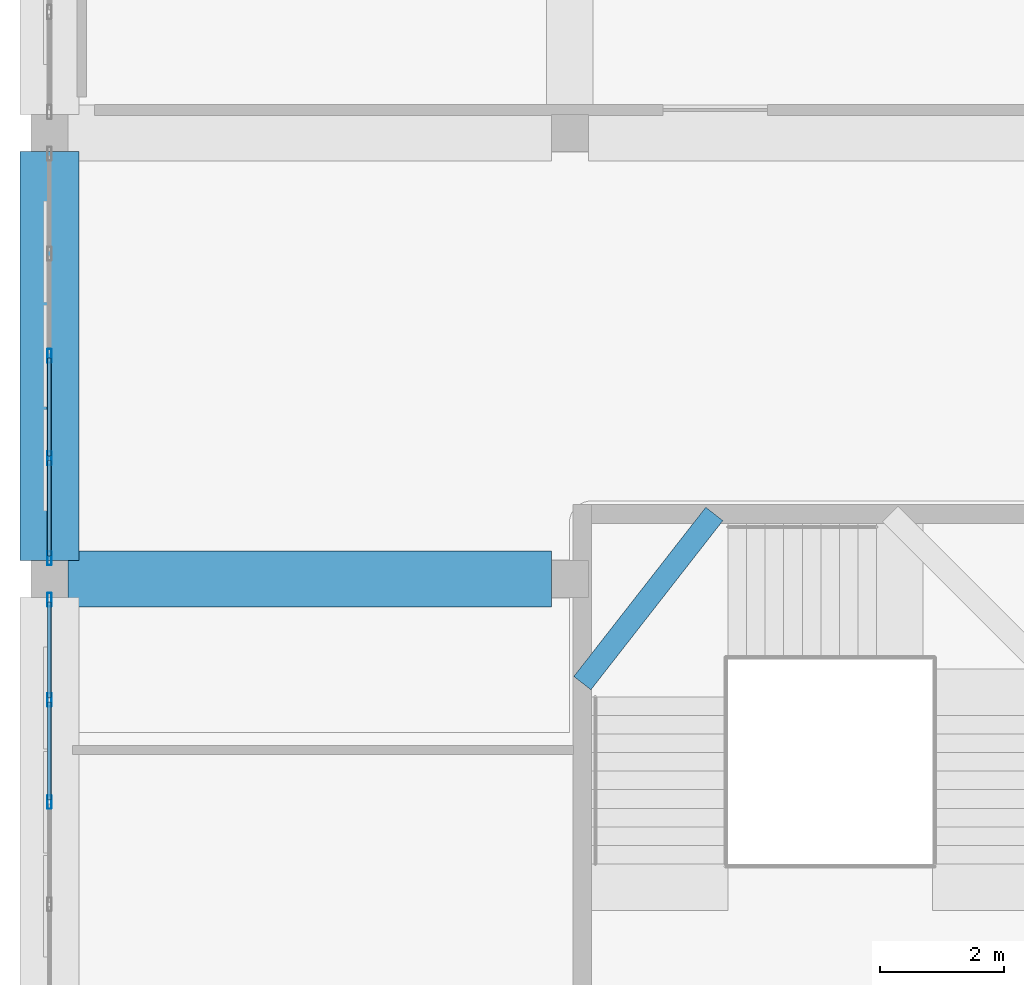
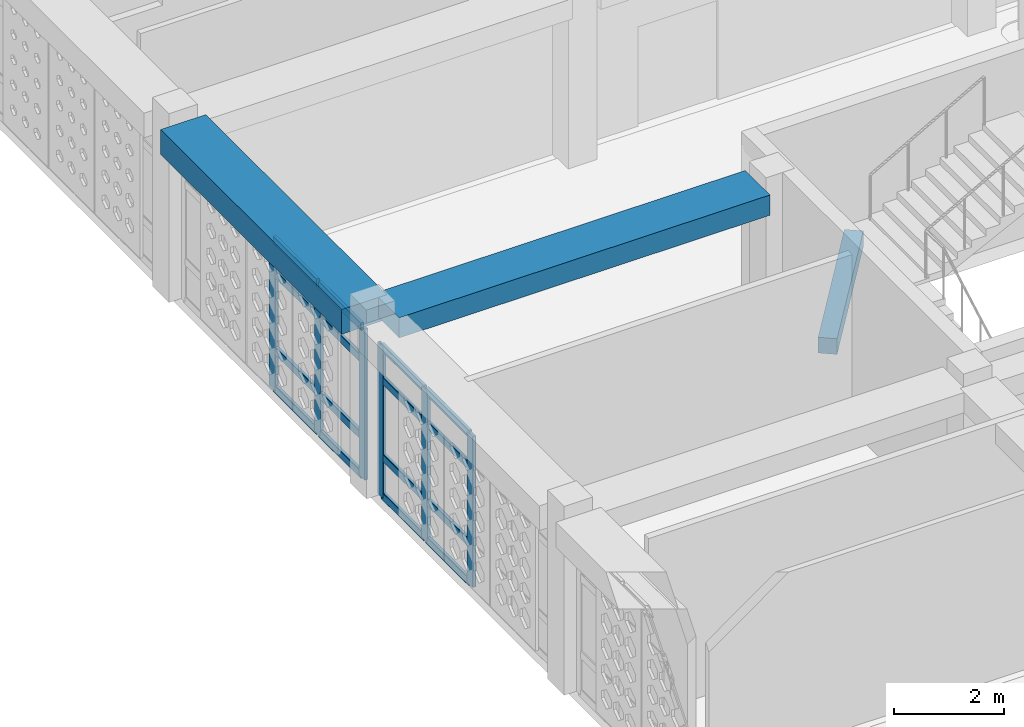
# One storey, part 8 of 48: 22 members, 3 beams, 2 elements without a shape of their own.
"""IFC4 building model written with IfcOpenShell, lengths in metres."""

from ifc_helpers import new_model, si_unit, derived_unit, direction, frame, origin, origin_2d, place, context, subcontext, project, spatial, rectangle, hollow_rectangle, extrude, material, material_profile, profile_set, type_object, element, aggregate, save


model = new_model("IFC4")

# Units and contexts
model_context = context("Model", 3, precision=1e-05, world=origin(), true_north=direction((0.0, 1.0)))
body_context = subcontext(model_context, "Body", "Model", "MODEL_VIEW")
ifc_project = project(units=[si_unit("LENGTHUNIT", "METRE"), si_unit("AREAUNIT", "SQUARE_METRE"), si_unit("VOLUMEUNIT", "CUBIC_METRE"), si_unit("PLANEANGLEUNIT", "RADIAN"), si_unit("MASSUNIT", "GRAM", prefix="KILO"), derived_unit("THERMALTRANSMITTANCEUNIT", [(si_unit("POWERUNIT", "WATT"), 1), (si_unit("LENGTHUNIT", "METRE"), -2), (si_unit("THERMODYNAMICTEMPERATUREUNIT", "KELVIN"), -1)])], contexts=[model_context])

# Site, building, storey
site_placement = place(None, origin())
site = spatial("IfcSite", under=ifc_project, at=site_placement, CompositionType="ELEMENT")
building_placement = place(site_placement, origin())
building = spatial("IfcBuilding", under=site, at=building_placement, Name="Veybourne Emporium", CompositionType="ELEMENT")
storey_placement = place(building_placement, frame((0.0, 0.0, 27.89990234375)))
storey = spatial("IfcBuildingStorey", under=building, at=storey_placement, Name="L06", CompositionType="ELEMENT", Elevation=27.89990234375)

# Curtain wall, members
ifc_material_1 = material(Name="Patinated Architectural Bronze", Category="bronze")
curtain_wall_type_1 = type_object("IfcCurtainWallType", Name="CWSystem_CWS-13", PredefinedType="NOTDEFINED", material=ifc_material_1)
curtain_wall_1_placement = place(storey_placement, origin())
curtain_wall_1 = element("IfcCurtainWall", 1, at=curtain_wall_1_placement, inside=storey, type_object=curtain_wall_type_1, Name="L06 bronze glazed curtain wall CWS-13 (005)", PredefinedType="NOTDEFINED")
ifc_material_profile_1 = material_profile(ifc_material_1, hollow_rectangle(XDim=0.072021484375, YDim=0.22509765625, WallThickness=0.0048828125, InnerFilletRadius=0.007568359375, OuterFilletRadius=0.012451171875, at=origin_2d()), Name="CWM 72x225x5")
ifc_profile_set_1 = profile_set([ifc_material_profile_1], Name="Patinated Architectural Bronze")
member_type_1 = type_object("IfcMemberType", Name="CWMullion_CW-M1", PredefinedType="MULLION", material=ifc_profile_set_1)
member_1_placement = place(storey_placement, frame((0.0, 36.3359375, 0.0), z_axis=(0.0, 0.0, 1.0), x_axis=(-1.0, 0.0, 0.0)))
member_1 = element("IfcMember", 2, at=member_1_placement, type_object=member_type_1, Name="CWS-13 mullion 1", PredefinedType="MULLION", context=body_context, shape_type="SweptSolid", body=[
    extrude(hollow_rectangle(XDim=0.072021484375, YDim=0.22509765625, WallThickness=0.0048828125, InnerFilletRadius=0.007568359375, OuterFilletRadius=0.012451171875, at=origin_2d()), origin(), (0.0, 0.0, 1.0), 3.360107421875),
])
member_2_placement = place(storey_placement, frame((0.0, 37.949951171875, 0.0), z_axis=(0.0, 0.0, 1.0), x_axis=(-1.0, 0.0, 0.0)))
member_2 = element("IfcMember", 3, at=member_2_placement, type_object=member_type_1, Name="CWS-13 mullion 2", PredefinedType="MULLION", context=body_context, shape_type="SweptSolid", body=[
    extrude(hollow_rectangle(XDim=0.072021484375, YDim=0.22509765625, WallThickness=0.0048828125, InnerFilletRadius=0.007568359375, OuterFilletRadius=0.012451171875, at=origin_2d()), origin(), (0.0, 0.0, 1.0), 3.360107421875),
])
member_3_placement = place(storey_placement, frame((0.0, 39.60009765625, 0.0), z_axis=(0.0, 0.0, 1.0), x_axis=(-1.0, 0.0, 0.0)))
member_3 = element("IfcMember", 4, at=member_3_placement, type_object=member_type_1, Name="CWS-13 mullion 3", PredefinedType="MULLION", context=body_context, shape_type="SweptSolid", body=[
    extrude(hollow_rectangle(XDim=0.072021484375, YDim=0.22509765625, WallThickness=0.0048828125, InnerFilletRadius=0.007568359375, OuterFilletRadius=0.012451171875, at=origin_2d()), origin(), (0.0, 0.0, 1.0), 3.360107421875),
])

curtain_wall_type_2 = type_object("IfcCurtainWallType", Name="CWSystem_CWS-12", PredefinedType="NOTDEFINED", material=ifc_material_1)
curtain_wall_2_placement = place(storey_placement, origin())
curtain_wall_2 = element("IfcCurtainWall", 5, at=curtain_wall_2_placement, inside=storey, type_object=curtain_wall_type_2, Name="L06 bronze glazed curtain wall CWS-12 (004)", PredefinedType="NOTDEFINED")
ifc_material_profile_2 = material_profile(ifc_material_1, hollow_rectangle(XDim=0.070068359375, YDim=0.219970703125, WallThickness=0.0048828125, InnerFilletRadius=0.007568359375, OuterFilletRadius=0.012451171875, at=origin_2d()), Name="CWM 70x220x5")
ifc_profile_set_2 = profile_set([ifc_material_profile_2], Name="Patinated Architectural Bronze")
member_type_2 = type_object("IfcMemberType", Name="CWMullion_CW-M4", PredefinedType="MULLION", material=ifc_profile_set_2)
member_4_placement = place(storey_placement, frame((0.0, 32.39990234375, 0.0), z_axis=(0.0, 0.0, 1.0), x_axis=(-1.0, 0.0, 0.0)))
member_4 = element("IfcMember", 6, at=member_4_placement, type_object=member_type_2, Name="CWS-12 mullion 3", PredefinedType="MULLION", context=body_context, shape_type="SweptSolid", body=[
    extrude(hollow_rectangle(XDim=0.070068359375, YDim=0.219970703125, WallThickness=0.0048828125, InnerFilletRadius=0.007568359375, OuterFilletRadius=0.012451171875, at=origin_2d()), origin(), (0.0, 0.0, 1.0), 3.360107421875),
])
member_5_placement = place(storey_placement, frame((0.0, 34.050048828125, 0.0), z_axis=(0.0, 0.0, 1.0), x_axis=(-1.0, 0.0, 0.0)))
member_5 = element("IfcMember", 7, at=member_5_placement, type_object=member_type_2, Name="CWS-12 mullion 4", PredefinedType="MULLION", context=body_context, shape_type="SweptSolid", body=[
    extrude(hollow_rectangle(XDim=0.070068359375, YDim=0.219970703125, WallThickness=0.0048828125, InnerFilletRadius=0.007568359375, OuterFilletRadius=0.012451171875, at=origin_2d()), origin(), (0.0, 0.0, 1.0), 3.360107421875),
])
member_6_placement = place(storey_placement, frame((0.0, 35.6650390625, 0.0), z_axis=(0.0, 0.0, 1.0), x_axis=(-1.0, 0.0, 0.0)))
member_6 = element("IfcMember", 8, at=member_6_placement, type_object=member_type_2, Name="CWS-12 mullion 5", PredefinedType="MULLION", context=body_context, shape_type="SweptSolid", body=[
    extrude(hollow_rectangle(XDim=0.070068359375, YDim=0.219970703125, WallThickness=0.0048828125, InnerFilletRadius=0.007568359375, OuterFilletRadius=0.012451171875, at=origin_2d()), origin(), (0.0, 0.0, 1.0), 3.360107421875),
])

# Member
ifc_material_profile_3 = material_profile(ifc_material_1, hollow_rectangle(XDim=0.072021484375, YDim=0.175048828125, WallThickness=0.0048828125, InnerFilletRadius=0.007568359375, OuterFilletRadius=0.012451171875, at=origin_2d()), Name="CWT 72x175x5")
ifc_profile_set_3 = profile_set([ifc_material_profile_3], Name="Patinated Architectural Bronze")
member_type_3 = type_object("IfcMemberType", Name="CWTransom_CW-T1", PredefinedType="NOTDEFINED", material=ifc_profile_set_3)
member_7_placement = place(storey_placement, frame((0.0, 36.3720703125, 0.0361328125), z_axis=(0.0, 1.0, 0.0), x_axis=(-1.0, 0.0, 0.0)))
member_7 = element("IfcMember", 9, at=member_7_placement, type_object=member_type_3, Name="CWS-13 transom 1.1", ObjectType="TRANSOM", PredefinedType="USERDEFINED", context=body_context, shape_type="SweptSolid", body=[
    extrude(hollow_rectangle(XDim=0.072021484375, YDim=0.175048828125, WallThickness=0.0048828125, InnerFilletRadius=0.007568359375, OuterFilletRadius=0.012451171875, at=origin_2d()), origin(), (0.0, 0.0, 1.0), 1.5419921875),
])

member_8_placement = place(storey_placement, frame((0.0, 36.3720703125, 0.900146484375), z_axis=(0.0, 1.0, 0.0), x_axis=(-1.0, 0.0, 0.0)))
member_8 = element("IfcMember", 10, at=member_8_placement, type_object=member_type_3, Name="CWS-13 transom 1.2", ObjectType="TRANSOM", PredefinedType="USERDEFINED", context=body_context, shape_type="SweptSolid", body=[
    extrude(hollow_rectangle(XDim=0.072021484375, YDim=0.175048828125, WallThickness=0.0048828125, InnerFilletRadius=0.007568359375, OuterFilletRadius=0.012451171875, at=origin_2d()), origin(), (0.0, 0.0, 1.0), 1.5419921875),
])

member_9_placement = place(storey_placement, frame((0.0, 36.3720703125, 2.610107421875), z_axis=(0.0, 1.0, 0.0), x_axis=(-1.0, 0.0, 0.0)))
member_9 = element("IfcMember", 11, at=member_9_placement, type_object=member_type_3, Name="CWS-13 transom 1.3", ObjectType="TRANSOM", PredefinedType="USERDEFINED", context=body_context, shape_type="SweptSolid", body=[
    extrude(hollow_rectangle(XDim=0.072021484375, YDim=0.175048828125, WallThickness=0.0048828125, InnerFilletRadius=0.007568359375, OuterFilletRadius=0.012451171875, at=origin_2d()), origin(), (0.0, 0.0, 1.0), 1.5419921875),
])

member_10_placement = place(storey_placement, frame((0.0, 36.3720703125, 3.32421875), z_axis=(0.0, 1.0, 0.0), x_axis=(-1.0, 0.0, 0.0)))
member_10 = element("IfcMember", 12, at=member_10_placement, type_object=member_type_3, Name="CWS-13 transom 1.4", ObjectType="TRANSOM", PredefinedType="USERDEFINED", context=body_context, shape_type="SweptSolid", body=[
    extrude(hollow_rectangle(XDim=0.072021484375, YDim=0.175048828125, WallThickness=0.0048828125, InnerFilletRadius=0.007568359375, OuterFilletRadius=0.012451171875, at=origin_2d()), origin(), (0.0, 0.0, 1.0), 1.5419921875),
])

member_11_placement = place(storey_placement, frame((0.0, 37.986083984375, 0.0361328125), z_axis=(0.0, 1.0, 0.0), x_axis=(-1.0, 0.0, 0.0)))
member_11 = element("IfcMember", 13, at=member_11_placement, type_object=member_type_3, Name="CWS-13 transom 2.1", ObjectType="TRANSOM", PredefinedType="USERDEFINED", context=body_context, shape_type="SweptSolid", body=[
    extrude(hollow_rectangle(XDim=0.072021484375, YDim=0.175048828125, WallThickness=0.0048828125, InnerFilletRadius=0.007568359375, OuterFilletRadius=0.012451171875, at=origin_2d()), origin(), (0.0, 0.0, 1.0), 1.577880859375),
])

member_12_placement = place(storey_placement, frame((0.0, 37.986083984375, 0.900146484375), z_axis=(0.0, 1.0, 0.0), x_axis=(-1.0, 0.0, 0.0)))
member_12 = element("IfcMember", 14, at=member_12_placement, type_object=member_type_3, Name="CWS-13 transom 2.2", ObjectType="TRANSOM", PredefinedType="USERDEFINED", context=body_context, shape_type="SweptSolid", body=[
    extrude(hollow_rectangle(XDim=0.072021484375, YDim=0.175048828125, WallThickness=0.0048828125, InnerFilletRadius=0.007568359375, OuterFilletRadius=0.012451171875, at=origin_2d()), origin(), (0.0, 0.0, 1.0), 1.577880859375),
])

member_13_placement = place(storey_placement, frame((0.0, 37.986083984375, 2.610107421875), z_axis=(0.0, 1.0, 0.0), x_axis=(-1.0, 0.0, 0.0)))
member_13 = element("IfcMember", 15, at=member_13_placement, type_object=member_type_3, Name="CWS-13 transom 2.3", ObjectType="TRANSOM", PredefinedType="USERDEFINED", context=body_context, shape_type="SweptSolid", body=[
    extrude(hollow_rectangle(XDim=0.072021484375, YDim=0.175048828125, WallThickness=0.0048828125, InnerFilletRadius=0.007568359375, OuterFilletRadius=0.012451171875, at=origin_2d()), origin(), (0.0, 0.0, 1.0), 1.577880859375),
])

member_14_placement = place(storey_placement, frame((0.0, 37.986083984375, 3.32421875), z_axis=(0.0, 1.0, 0.0), x_axis=(-1.0, 0.0, 0.0)))
member_14 = element("IfcMember", 16, at=member_14_placement, type_object=member_type_3, Name="CWS-13 transom 2.4", ObjectType="TRANSOM", PredefinedType="USERDEFINED", context=body_context, shape_type="SweptSolid", body=[
    extrude(hollow_rectangle(XDim=0.072021484375, YDim=0.175048828125, WallThickness=0.0048828125, InnerFilletRadius=0.007568359375, OuterFilletRadius=0.012451171875, at=origin_2d()), origin(), (0.0, 0.0, 1.0), 1.577880859375),
])

aggregate(curtain_wall_1, [member_1, member_2, member_3, member_7, member_8, member_9, member_10, member_11, member_12, member_13, member_14])

ifc_material_profile_4 = material_profile(ifc_material_1, hollow_rectangle(XDim=0.070068359375, YDim=0.169921875, WallThickness=0.0048828125, InnerFilletRadius=0.007568359375, OuterFilletRadius=0.012451171875, at=origin_2d()), Name="CWT 70x170x5")
ifc_profile_set_4 = profile_set([ifc_material_profile_4], Name="Patinated Architectural Bronze")
member_type_4 = type_object("IfcMemberType", Name="CWTransom_CW-T4", PredefinedType="NOTDEFINED", material=ifc_profile_set_4)
member_15_placement = place(storey_placement, frame((0.0, 32.43505859375, 0.03515625), z_axis=(0.0, 1.0, 0.0), x_axis=(-1.0, 0.0, 0.0)))
member_15 = element("IfcMember", 17, at=member_15_placement, type_object=member_type_4, Name="CWS-12 transom 3.1", ObjectType="TRANSOM", PredefinedType="USERDEFINED", context=body_context, shape_type="SweptSolid", body=[
    extrude(hollow_rectangle(XDim=0.070068359375, YDim=0.169921875, WallThickness=0.0048828125, InnerFilletRadius=0.007568359375, OuterFilletRadius=0.012451171875, at=origin_2d()), origin(), (0.0, 0.0, 1.0), 1.579833984375),
])

member_16_placement = place(storey_placement, frame((0.0, 32.43505859375, 0.900146484375), z_axis=(0.0, 1.0, 0.0), x_axis=(-1.0, 0.0, 0.0)))
member_16 = element("IfcMember", 18, at=member_16_placement, type_object=member_type_4, Name="CWS-12 transom 3.2", ObjectType="TRANSOM", PredefinedType="USERDEFINED", context=body_context, shape_type="SweptSolid", body=[
    extrude(hollow_rectangle(XDim=0.070068359375, YDim=0.169921875, WallThickness=0.0048828125, InnerFilletRadius=0.007568359375, OuterFilletRadius=0.012451171875, at=origin_2d()), origin(), (0.0, 0.0, 1.0), 1.579833984375),
])

member_17_placement = place(storey_placement, frame((0.0, 32.43505859375, 2.610107421875), z_axis=(0.0, 1.0, 0.0), x_axis=(-1.0, 0.0, 0.0)))
member_17 = element("IfcMember", 19, at=member_17_placement, type_object=member_type_4, Name="CWS-12 transom 3.3", ObjectType="TRANSOM", PredefinedType="USERDEFINED", context=body_context, shape_type="SweptSolid", body=[
    extrude(hollow_rectangle(XDim=0.070068359375, YDim=0.169921875, WallThickness=0.0048828125, InnerFilletRadius=0.007568359375, OuterFilletRadius=0.012451171875, at=origin_2d()), origin(), (0.0, 0.0, 1.0), 1.579833984375),
])

member_18_placement = place(storey_placement, frame((0.0, 32.43505859375, 3.3251953125), z_axis=(0.0, 1.0, 0.0), x_axis=(-1.0, 0.0, 0.0)))
member_18 = element("IfcMember", 20, at=member_18_placement, type_object=member_type_4, Name="CWS-12 transom 3.4", ObjectType="TRANSOM", PredefinedType="USERDEFINED", context=body_context, shape_type="SweptSolid", body=[
    extrude(hollow_rectangle(XDim=0.070068359375, YDim=0.169921875, WallThickness=0.0048828125, InnerFilletRadius=0.007568359375, OuterFilletRadius=0.012451171875, at=origin_2d()), origin(), (0.0, 0.0, 1.0), 1.579833984375),
])

member_19_placement = place(storey_placement, frame((0.0, 34.0849609375, 0.03515625), z_axis=(0.0, 1.0, 0.0), x_axis=(-1.0, 0.0, 0.0)))
member_19 = element("IfcMember", 21, at=member_19_placement, type_object=member_type_4, Name="CWS-12 transom 4.1", ObjectType="TRANSOM", PredefinedType="USERDEFINED", context=body_context, shape_type="SweptSolid", body=[
    extrude(hollow_rectangle(XDim=0.070068359375, YDim=0.169921875, WallThickness=0.0048828125, InnerFilletRadius=0.007568359375, OuterFilletRadius=0.012451171875, at=origin_2d()), origin(), (0.0, 0.0, 1.0), 1.544921875),
])

member_20_placement = place(storey_placement, frame((0.0, 34.0849609375, 0.900146484375), z_axis=(0.0, 1.0, 0.0), x_axis=(-1.0, 0.0, 0.0)))
member_20 = element("IfcMember", 22, at=member_20_placement, type_object=member_type_4, Name="CWS-12 transom 4.2", ObjectType="TRANSOM", PredefinedType="USERDEFINED", context=body_context, shape_type="SweptSolid", body=[
    extrude(hollow_rectangle(XDim=0.070068359375, YDim=0.169921875, WallThickness=0.0048828125, InnerFilletRadius=0.007568359375, OuterFilletRadius=0.012451171875, at=origin_2d()), origin(), (0.0, 0.0, 1.0), 1.544921875),
])

member_21_placement = place(storey_placement, frame((0.0, 34.0849609375, 2.610107421875), z_axis=(0.0, 1.0, 0.0), x_axis=(-1.0, 0.0, 0.0)))
member_21 = element("IfcMember", 23, at=member_21_placement, type_object=member_type_4, Name="CWS-12 transom 4.3", ObjectType="TRANSOM", PredefinedType="USERDEFINED", context=body_context, shape_type="SweptSolid", body=[
    extrude(hollow_rectangle(XDim=0.070068359375, YDim=0.169921875, WallThickness=0.0048828125, InnerFilletRadius=0.007568359375, OuterFilletRadius=0.012451171875, at=origin_2d()), origin(), (0.0, 0.0, 1.0), 1.544921875),
])

member_22_placement = place(storey_placement, frame((0.0, 34.0849609375, 3.3251953125), z_axis=(0.0, 1.0, 0.0), x_axis=(-1.0, 0.0, 0.0)))
member_22 = element("IfcMember", 24, at=member_22_placement, type_object=member_type_4, Name="CWS-12 transom 4.4", ObjectType="TRANSOM", PredefinedType="USERDEFINED", context=body_context, shape_type="SweptSolid", body=[
    extrude(hollow_rectangle(XDim=0.070068359375, YDim=0.169921875, WallThickness=0.0048828125, InnerFilletRadius=0.007568359375, OuterFilletRadius=0.012451171875, at=origin_2d()), origin(), (0.0, 0.0, 1.0), 1.544921875),
])

aggregate(curtain_wall_2, [member_4, member_5, member_6, member_15, member_16, member_17, member_18, member_19, member_20, member_21, member_22])

# Beams
ifc_material_2 = material(Name="Concrete C32/40", Category="concrete")
ifc_material_profile_5 = material_profile(ifc_material_2, rectangle(XDim=0.35009765625, YDim=0.35009765625, at=origin_2d()), Name="RC 350x350")
ifc_profile_set_5 = profile_set([ifc_material_profile_5], Name="Concrete C32/40")
beam_type_1 = type_object("IfcBeamType", Name="LandingBeam_LB-01", PredefinedType="BEAM", material=ifc_profile_set_5)
beam_1_placement = place(storey_placement, frame((8.60009765625, 34.320068359375, 1.125), z_axis=(0.615121224311, 0.788432545879, 0.0), x_axis=(-0.788432545879, 0.615121224311, 0.0)))
element("IfcBeam", 25, at=beam_1_placement, inside=storey, type_object=beam_type_1, Name="L06 ST-02 landing 1 support beam", PredefinedType="BEAM", context=body_context, shape_type="SweptSolid", body=[
    extrude(rectangle(XDim=0.35009765625, YDim=0.35009765625, at=origin_2d()), origin(), (0.0, 0.0, 1.0), 3.462646484375),
])
ifc_material_profile_6 = material_profile(ifc_material_2, rectangle(XDim=0.89990234375, YDim=0.449951171875, at=origin_2d()), Name="RC 900x450")
ifc_profile_set_6 = profile_set([ifc_material_profile_6], Name="Concrete C32/40")
beam_type_2 = type_object("IfcBeamType", Name="RCBeam_BB-03", PredefinedType="BEAM", material=ifc_profile_set_6)
beam_2_placement = place(storey_placement, frame((0.300048828125, 36.0, 3.68505859375), z_axis=(1.0, 0.0, 0.0), x_axis=(0.0, 1.0, 0.0)))
element("IfcBeam", 26, at=beam_2_placement, inside=storey, type_object=beam_type_2, Name="L06 X-grid beam BB-03 (0,5)", PredefinedType="BEAM", context=body_context, shape_type="SweptSolid", body=[
    extrude(rectangle(XDim=0.89990234375, YDim=0.449951171875, at=origin_2d()), origin(), (0.0, 0.0, 1.0), 7.800048828125),
])
ifc_material_profile_7 = material_profile(ifc_material_2, rectangle(XDim=0.949951171875, YDim=0.550048828125, at=origin_2d()), Name="RC 950x550")
ifc_profile_set_7 = profile_set([ifc_material_profile_7], Name="Concrete C32/40")
beam_type_3 = type_object("IfcBeamType", Name="RCBeam_EB-01", PredefinedType="SPANDREL", material=ifc_profile_set_7)
beam_3_placement = place(storey_placement, frame((0.0, 36.300048828125, 3.635009765625), z_axis=(0.0, 1.0, 0.0), x_axis=(-1.0, 0.0, 0.0)))
element("IfcBeam", 27, at=beam_3_placement, inside=storey, type_object=beam_type_3, Name="L06 Y-grid beam EB-01 (0,5)", PredefinedType="SPANDREL", context=body_context, shape_type="SweptSolid", body=[
    extrude(rectangle(XDim=0.949951171875, YDim=0.550048828125, at=origin_2d()), origin(), (0.0, 0.0, 1.0), 6.599853515625),
])

save(model, "model.ifc")
